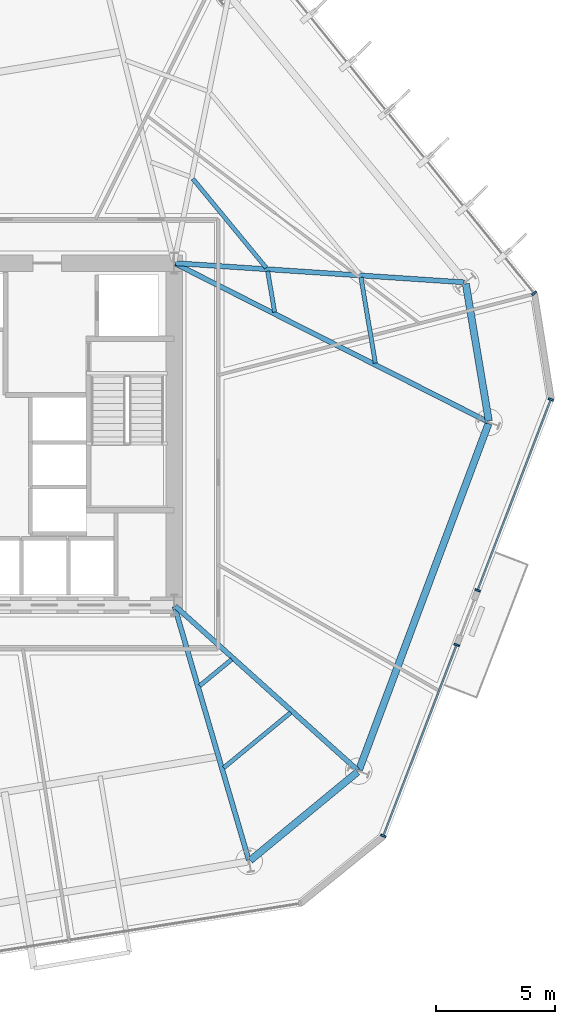
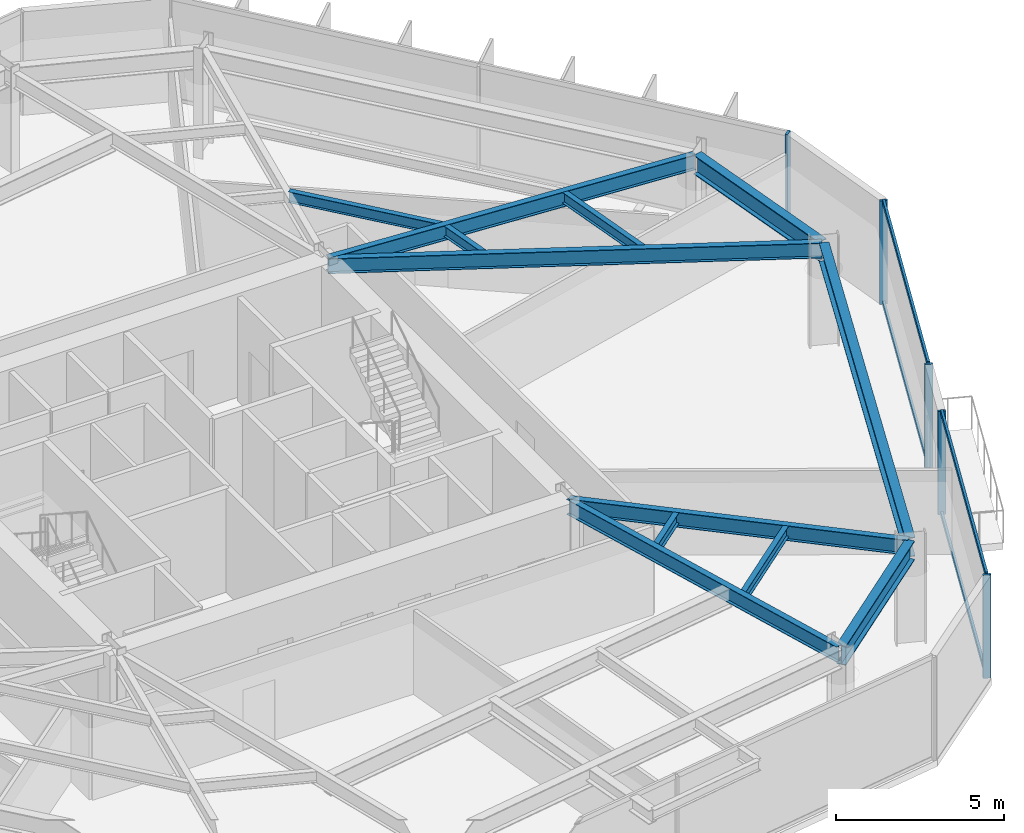
# One storey, part 4 of 11: 12 beams, 9 members, 3 elements without a shape of their own.
"""IFC4 building model written with IfcOpenShell, lengths in metres."""

from ifc_helpers import new_model, si_unit, direction, frame, origin, origin_2d, place, context, subcontext, project, spatial, rectangle, i_section, extrude, material, layer, layer_set, material_profile, profile_set, type_object, element, aggregate, save


model = new_model("IFC4")

# Units and contexts
model_context = context("Model", 3, precision=1e-05, world=origin(), true_north=direction((0.0, 1.0)))
body_context = subcontext(model_context, "Body", "Model", "MODEL_VIEW")
ifc_project = project(units=[si_unit("LENGTHUNIT", "METRE"), si_unit("AREAUNIT", "SQUARE_METRE"), si_unit("VOLUMEUNIT", "CUBIC_METRE"), si_unit("PLANEANGLEUNIT", "RADIAN"), si_unit("MASSUNIT", "GRAM", prefix="KILO")], contexts=[model_context])

# Site, building, storey
site_placement = place(None, origin())
site = spatial("IfcSite", under=ifc_project, at=site_placement, CompositionType="ELEMENT")
building_placement = place(site_placement, origin())
building = spatial("IfcBuilding", under=site, at=building_placement, Name="Kranzbogen Civic Tower", CompositionType="ELEMENT")
storey_placement = place(building_placement, frame((0.0, 0.0, 56.0)))
storey = spatial("IfcBuildingStorey", under=building, at=storey_placement, Name="L13", CompositionType="ELEMENT", Elevation=56.0)

# Curtain wall, member
ifc_material_1 = material(Name="Pale Anodised Aluminium", Category="aluminium")
ifc_layer = layer(ifc_material_1, 0.219970703125, Name="Pale Anodised Aluminium")
ifc_layer_set = layer_set([ifc_layer], Name="Pale Anodised Aluminium")
curtain_wall_type = type_object("IfcCurtainWallType", Name="Zone 1 Stick Curtain Wall System CW-02", PredefinedType="USERDEFINED", material=ifc_layer_set)
curtain_wall_1_placement = place(storey_placement, origin())
curtain_wall_1 = element("IfcCurtainWall", 1, at=curtain_wall_1_placement, inside=storey, type_object=curtain_wall_type, Name="L13 curtain wall CW-L13-F1", ObjectType="STICK CURTAIN WALL", PredefinedType="USERDEFINED")
ifc_material_profile_1 = material_profile(ifc_material_1, rectangle(XDim=0.080078125, YDim=0.239990234375, at=origin_2d()), Name="ALU-M 80x240")
ifc_profile_set_1 = profile_set([ifc_material_profile_1], Name="Pale Anodised Aluminium")
member_type_1 = type_object("IfcMemberType", Name="Curtain Wall Mullion ALU-M 80x240", PredefinedType="MULLION", material=ifc_profile_set_1)
member_1_placement = place(storey_placement, frame((47.9580078125, 30.92724609375, 0.0), z_axis=(0.0, 0.0, 1.0), x_axis=(-0.629255050274, 0.777198868826, 0.0)))
member_1 = element("IfcMember", 2, at=member_1_placement, type_object=member_type_1, Name="CW-02 mullion 1", PredefinedType="MULLION", context=body_context, shape_type="SweptSolid", body=[
    extrude(rectangle(XDim=0.080078125, YDim=0.239990234375, at=origin_2d()), origin(), (0.0, 0.0, 1.0), 3.760009765625),
])
aggregate(curtain_wall_1, [member_1])

# Curtain wall, members
curtain_wall_2_placement = place(storey_placement, origin())
curtain_wall_2 = element("IfcCurtainWall", 3, at=curtain_wall_2_placement, inside=storey, type_object=curtain_wall_type, Name="L13 curtain wall CW-L13-F6-S1", ObjectType="STICK CURTAIN WALL", PredefinedType="USERDEFINED")
member_2_placement = place(storey_placement, frame((41.61279296875, 8.0810546875, 0.0), z_axis=(0.0, 0.0, 1.0), x_axis=(0.358391745833, 0.93357129161, 0.0)))
member_2 = element("IfcMember", 4, at=member_2_placement, type_object=member_type_1, Name="CW-02 mullion 1", PredefinedType="MULLION", context=body_context, shape_type="SweptSolid", body=[
    extrude(rectangle(XDim=0.080078125, YDim=0.239990234375, at=origin_2d()), origin(), (0.0, 0.0, 1.0), 3.760009765625),
])
member_3_placement = place(storey_placement, frame((44.69921875, 16.12109375, 0.0), z_axis=(0.0, 0.0, 1.0), x_axis=(0.358391745833, 0.93357129161, 0.0)))
member_3 = element("IfcMember", 5, at=member_3_placement, type_object=member_type_1, Name="CW-02 mullion 2", PredefinedType="MULLION", context=body_context, shape_type="SweptSolid", body=[
    extrude(rectangle(XDim=0.080078125, YDim=0.239990234375, at=origin_2d()), origin(), (0.0, 0.0, 1.0), 3.760009765625),
])

curtain_wall_3_placement = place(storey_placement, origin())
curtain_wall_3 = element("IfcCurtainWall", 6, at=curtain_wall_3_placement, inside=storey, type_object=curtain_wall_type, Name="L13 curtain wall CW-L13-F6-S2", ObjectType="STICK CURTAIN WALL", PredefinedType="USERDEFINED")
member_4_placement = place(storey_placement, frame((45.580810546875, 18.41796875, 0.0), z_axis=(0.0, 0.0, 1.0), x_axis=(0.35832981626, 0.933595063601, 0.0)))
member_4 = element("IfcMember", 7, at=member_4_placement, type_object=member_type_1, Name="CW-02 mullion 1", PredefinedType="MULLION", context=body_context, shape_type="SweptSolid", body=[
    extrude(rectangle(XDim=0.080078125, YDim=0.239990234375, at=origin_2d()), origin(), (0.0, 0.0, 1.0), 3.760009765625),
])
member_5_placement = place(storey_placement, frame((48.666259765625, 26.45703125, 0.0), z_axis=(0.0, 0.0, 1.0), x_axis=(0.35832981626, 0.933595063601, 0.0)))
member_5 = element("IfcMember", 8, at=member_5_placement, type_object=member_type_1, Name="CW-02 mullion 2", PredefinedType="MULLION", context=body_context, shape_type="SweptSolid", body=[
    extrude(rectangle(XDim=0.080078125, YDim=0.239990234375, at=origin_2d()), origin(), (0.0, 0.0, 1.0), 3.760009765625),
])

# Member
ifc_material_profile_2 = material_profile(ifc_material_1, rectangle(XDim=0.080078125, YDim=0.179931640625, at=origin_2d()), Name="ALU-T 80x180")
ifc_profile_set_2 = profile_set([ifc_material_profile_2], Name="Pale Anodised Aluminium")
member_type_2 = type_object("IfcMemberType", Name="Curtain Wall Transom ALU-T 80x180", PredefinedType="USERDEFINED", material=ifc_profile_set_2)
member_6_placement = place(storey_placement, frame((41.62353515625, 8.109130859375, 0.030029296875), z_axis=(0.358389803544, 0.933572037239, 0.0), x_axis=(-0.933572037239, 0.358389803544, 0.0)))
member_6 = element("IfcMember", 9, at=member_6_placement, type_object=member_type_2, Name="CW-02 transom 1.1", ObjectType="TRANSOM", PredefinedType="USERDEFINED", context=body_context, shape_type="SweptSolid", body=[
    extrude(rectangle(XDim=0.080078125, YDim=0.179931640625, at=origin_2d()), origin(), (0.0, 0.0, 1.0), 8.552001953125),
])

member_7_placement = place(storey_placement, frame((41.62353515625, 8.109130859375, 3.72998046875), z_axis=(0.358389803544, 0.933572037239, 0.0), x_axis=(-0.933572037239, 0.358389803544, 0.0)))
member_7 = element("IfcMember", 10, at=member_7_placement, type_object=member_type_2, Name="CW-02 transom 1.2", ObjectType="TRANSOM", PredefinedType="USERDEFINED", context=body_context, shape_type="SweptSolid", body=[
    extrude(rectangle(XDim=0.080078125, YDim=0.179931640625, at=origin_2d()), origin(), (0.0, 0.0, 1.0), 8.552001953125),
])

aggregate(curtain_wall_2, [member_2, member_3, member_6, member_7])

member_8_placement = place(storey_placement, frame((45.591552734375, 18.446044921875, 0.030029296875), z_axis=(0.358328475889, 0.933595578057, 0.0), x_axis=(-0.933595578057, 0.358328475889, 0.0)))
member_8 = element("IfcMember", 11, at=member_8_placement, type_object=member_type_2, Name="CW-02 transom 1.1", ObjectType="TRANSOM", PredefinedType="USERDEFINED", context=body_context, shape_type="SweptSolid", body=[
    extrude(rectangle(XDim=0.080078125, YDim=0.179931640625, at=origin_2d()), origin(), (0.0, 0.0, 1.0), 8.55078125),
])

member_9_placement = place(storey_placement, frame((45.591552734375, 18.446044921875, 3.72998046875), z_axis=(0.358328475889, 0.933595578057, 0.0), x_axis=(-0.933595578057, 0.358328475889, 0.0)))
member_9 = element("IfcMember", 12, at=member_9_placement, type_object=member_type_2, Name="CW-02 transom 1.2", ObjectType="TRANSOM", PredefinedType="USERDEFINED", context=body_context, shape_type="SweptSolid", body=[
    extrude(rectangle(XDim=0.080078125, YDim=0.179931640625, at=origin_2d()), origin(), (0.0, 0.0, 1.0), 8.55078125),
])

aggregate(curtain_wall_3, [member_4, member_5, member_8, member_9])

# Beams
ifc_material_2 = material(Name="Steel S355", Category="steel")
ifc_material_profile_3 = material_profile(ifc_material_2, i_section(OverallWidth=0.300048828125, OverallDepth=0.699951171875, WebThickness=0.01708984375, FlangeThickness=0.031982421875, at=origin_2d()), Name="HEB 700")
ifc_profile_set_3 = profile_set([ifc_material_profile_3], Name="Steel S355")
beam_type_1 = type_object("IfcBeamType", Name="Perimeter Tube Spandrel Beam HEB 700", PredefinedType="SPANDREL", material=ifc_profile_set_3)
beam_1_placement = place(storey_placement, frame((36.00390625, 7.050048828125, 3.409912109375), z_axis=(0.77168336865, 0.636006901337, 0.0), x_axis=(-0.636006901337, 0.77168336865, 0.0)))
element("IfcBeam", 13, at=beam_1_placement, inside=storey, type_object=beam_type_1, Name="L13 perimeter spandrel beam 05", PredefinedType="SPANDREL", context=body_context, shape_type="SweptSolid", body=[
    extrude(i_section(OverallWidth=0.300048828125, OverallDepth=0.699951171875, WebThickness=0.01708984375, FlangeThickness=0.031982421875, at=origin_2d()), origin(), (0.0, 0.0, 1.0), 5.853515625),
])
beam_2_placement = place(storey_placement, frame((40.587890625, 10.866943359375, 3.409912109375), z_axis=(0.350172267932, 0.936685316833, 0.0), x_axis=(-0.936685316833, 0.350172267932, 0.0)))
element("IfcBeam", 14, at=beam_2_placement, inside=storey, type_object=beam_type_1, Name="L13 perimeter spandrel beam 06", PredefinedType="SPANDREL", context=body_context, shape_type="SweptSolid", body=[
    extrude(i_section(OverallWidth=0.300048828125, OverallDepth=0.699951171875, WebThickness=0.01708984375, FlangeThickness=0.031982421875, at=origin_2d()), origin(), (0.0, 0.0, 1.0), 15.55810546875),
])
beam_3_placement = place(storey_placement, frame((46.047119140625, 25.554931640625, 3.409912109375), z_axis=(-0.164913116942, 0.986308097838, 0.0), x_axis=(-0.986308097838, -0.164913116942, 0.0)))
element("IfcBeam", 15, at=beam_3_placement, inside=storey, type_object=beam_type_1, Name="L13 perimeter spandrel beam 07", PredefinedType="SPANDREL", context=body_context, shape_type="SweptSolid", body=[
    extrude(i_section(OverallWidth=0.300048828125, OverallDepth=0.699951171875, WebThickness=0.01708984375, FlangeThickness=0.031982421875, at=origin_2d()), origin(), (0.0, 0.0, 1.0), 5.85205078125),
])
ifc_material_profile_4 = material_profile(ifc_material_2, i_section(OverallWidth=0.2099609375, OverallDepth=0.550048828125, WebThickness=0.010986328125, FlangeThickness=0.01708984375, at=origin_2d()), Name="IPE 550")
ifc_profile_set_4 = profile_set([ifc_material_profile_4], Name="Steel S355")
beam_type_2 = type_object("IfcBeamType", Name="Radial Tower Floor Girder IPE 550", PredefinedType="BEAM", material=ifc_profile_set_4)
beam_4_placement = place(storey_placement, frame((35.94091796875, 7.070068359375, 3.485107421875), z_axis=(-0.280944131918, 0.959724124288, 0.0), x_axis=(-0.959724124288, -0.280944131918, 0.0)))
element("IfcBeam", 16, at=beam_4_placement, inside=storey, type_object=beam_type_2, Name="L13 radial floor girder 05", PredefinedType="BEAM", context=body_context, shape_type="SweptSolid", body=[
    extrude(i_section(OverallWidth=0.2099609375, OverallDepth=0.550048828125, WebThickness=0.010986328125, FlangeThickness=0.01708984375, at=origin_2d()), origin(), (0.0, 0.0, 1.0), 11.11962890625),
])
beam_5_placement = place(storey_placement, frame((40.52197265625, 10.85107421875, 3.485107421875), z_axis=(-0.743311776894, 0.668945141496, 0.0), x_axis=(-0.668945141496, -0.743311776894, 0.0)))
element("IfcBeam", 17, at=beam_5_placement, inside=storey, type_object=beam_type_2, Name="L13 radial floor girder 06", PredefinedType="BEAM", context=body_context, shape_type="SweptSolid", body=[
    extrude(i_section(OverallWidth=0.2099609375, OverallDepth=0.550048828125, WebThickness=0.010986328125, FlangeThickness=0.01708984375, at=origin_2d()), origin(), (0.0, 0.0, 1.0), 10.328125),
])
beam_6_placement = place(storey_placement, frame((46.0029296875, 25.52294921875, 3.485107421875), z_axis=(-0.892363219254, 0.451317942168, 0.0), x_axis=(-0.451317942168, -0.892363219254, 0.0)))
element("IfcBeam", 18, at=beam_6_placement, inside=storey, type_object=beam_type_2, Name="L13 radial floor girder 07", PredefinedType="BEAM", context=body_context, shape_type="SweptSolid", body=[
    extrude(i_section(OverallWidth=0.2099609375, OverallDepth=0.550048828125, WebThickness=0.010986328125, FlangeThickness=0.01708984375, at=origin_2d()), origin(), (0.0, 0.0, 1.0), 14.73486328125),
])
beam_7_placement = place(storey_placement, frame((45.011962890625, 31.389892578125, 3.485107421875), z_axis=(-0.99780674843, 0.066194356156, 0.0), x_axis=(-0.066194356156, -0.99780674843, 0.0)))
element("IfcBeam", 19, at=beam_7_placement, inside=storey, type_object=beam_type_2, Name="L13 radial floor girder 08", PredefinedType="BEAM", context=body_context, shape_type="SweptSolid", body=[
    extrude(i_section(OverallWidth=0.2099609375, OverallDepth=0.550048828125, WebThickness=0.010986328125, FlangeThickness=0.01708984375, at=origin_2d()), origin(), (0.0, 0.0, 1.0), 12.178466796875),
])
ifc_material_profile_5 = material_profile(ifc_material_2, i_section(OverallWidth=0.179931640625, OverallDepth=0.39990234375, WebThickness=0.008544921875, FlangeThickness=0.013427734375, at=origin_2d()), Name="IPE 400")
ifc_profile_set_5 = profile_set([ifc_material_profile_5], Name="Steel S355")
beam_type_3 = type_object("IfcBeamType", Name="Secondary Composite Floor Joist IPE 400", PredefinedType="JOIST", material=ifc_profile_set_5)
beam_8_placement = place(storey_placement, frame((34.883056640625, 10.947021484375, 3.56005859375), z_axis=(0.771712720426, 0.635971286406, 0.0), x_axis=(-0.635971286406, 0.771712720426, 0.0)))
element("IfcBeam", 20, at=beam_8_placement, inside=storey, type_object=beam_type_3, Name="L13 secondary floor joist 1.05", PredefinedType="JOIST", context=body_context, shape_type="SweptSolid", body=[
    extrude(i_section(OverallWidth=0.179931640625, OverallDepth=0.39990234375, WebThickness=0.008544921875, FlangeThickness=0.013427734375, at=origin_2d()), origin(), (0.0, 0.0, 1.0), 3.661865234375),
])
beam_9_placement = place(storey_placement, frame((33.8720703125, 14.39892578125, 3.56005859375), z_axis=(0.771773324836, 0.635897739477, 0.0), x_axis=(-0.635897739477, 0.771773324836, 0.0)))
element("IfcBeam", 21, at=beam_9_placement, inside=storey, type_object=beam_type_3, Name="L13 secondary floor joist 2.05", PredefinedType="JOIST", context=body_context, shape_type="SweptSolid", body=[
    extrude(i_section(OverallWidth=0.179931640625, OverallDepth=0.39990234375, WebThickness=0.008544921875, FlangeThickness=0.013427734375, at=origin_2d()), origin(), (0.0, 0.0, 1.0), 1.751953125),
])
beam_10_placement = place(storey_placement, frame((41.27099609375, 27.988037109375, 3.56005859375), z_axis=(-0.164928678379, 0.986305495802, 0.0), x_axis=(-0.986305495802, -0.164928678379, 0.0)))
element("IfcBeam", 22, at=beam_10_placement, inside=storey, type_object=beam_type_3, Name="L13 secondary floor joist 1.07", PredefinedType="JOIST", context=body_context, shape_type="SweptSolid", body=[
    extrude(i_section(OverallWidth=0.179931640625, OverallDepth=0.39990234375, WebThickness=0.008544921875, FlangeThickness=0.013427734375, at=origin_2d()), origin(), (0.0, 0.0, 1.0), 3.662109375),
])
beam_11_placement = place(storey_placement, frame((37.029052734375, 30.134033203125, 3.56005859375), z_axis=(-0.165077224104, 0.986280644686, 0.0), x_axis=(-0.986280644686, -0.165077224104, 0.0)))
element("IfcBeam", 23, at=beam_11_placement, inside=storey, type_object=beam_type_3, Name="L13 secondary floor joist 2.07", PredefinedType="JOIST", context=body_context, shape_type="SweptSolid", body=[
    extrude(i_section(OverallWidth=0.179931640625, OverallDepth=0.39990234375, WebThickness=0.008544921875, FlangeThickness=0.013427734375, at=origin_2d()), origin(), (0.0, 0.0, 1.0), 1.7509765625),
])
beam_12_placement = place(storey_placement, frame((36.676025390625, 32.0009765625, 3.56005859375), z_axis=(-0.636012010413, 0.771679157818, 0.0), x_axis=(-0.771679157818, -0.636012010413, 0.0)))
element("IfcBeam", 24, at=beam_12_placement, inside=storey, type_object=beam_type_3, Name="L13 secondary floor joist 2.08", PredefinedType="JOIST", context=body_context, shape_type="SweptSolid", body=[
    extrude(i_section(OverallWidth=0.179931640625, OverallDepth=0.39990234375, WebThickness=0.008544921875, FlangeThickness=0.013427734375, at=origin_2d()), origin(), (0.0, 0.0, 1.0), 4.85693359375),
])

save(model, "model.ifc")
